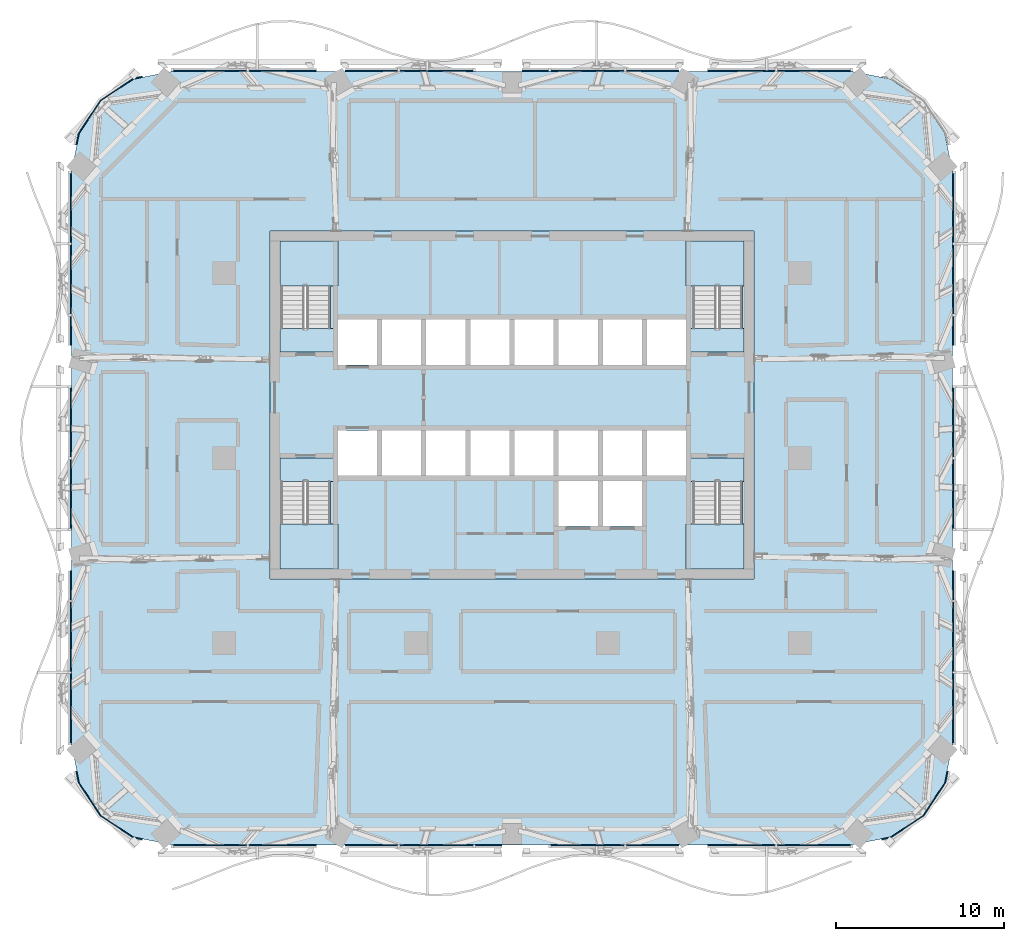
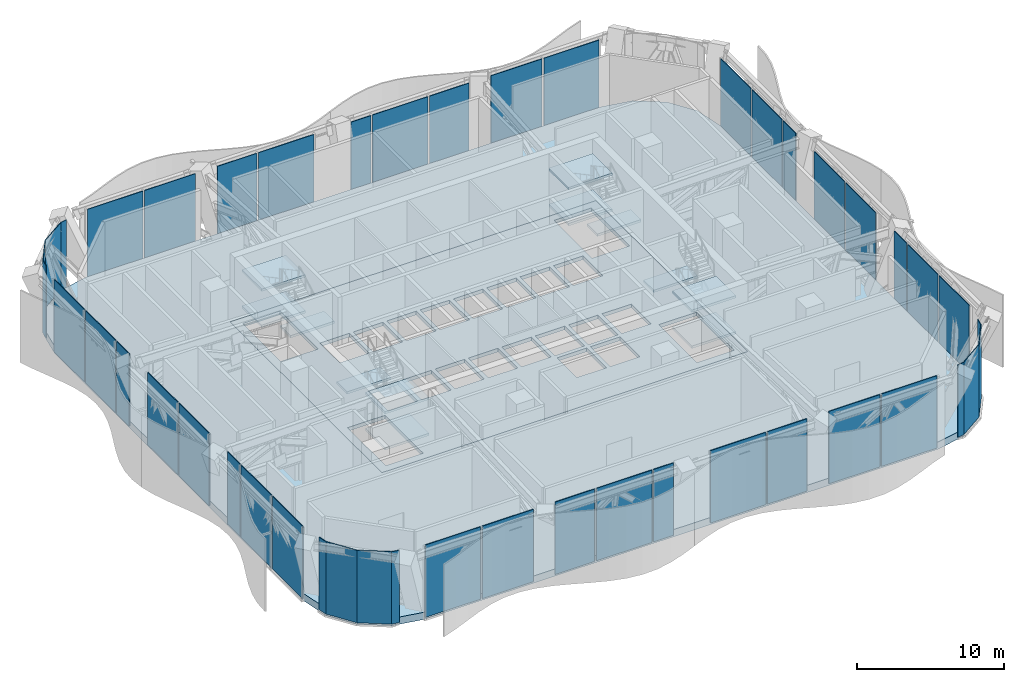
# One storey, part 7 of 26: 37 plates, 14 slabs, 11 elements without a shape of their own.
"""IFC4 building model written with IfcOpenShell, lengths in metres."""

from ifc_helpers import new_model, si_unit, direction, frame, origin, origin_2d, place, context, subcontext, project, spatial, polyline, rectangle, outline, extrude, material, layer, layer_set, type_object, element, aggregate, save


model = new_model("IFC4")

# Units and contexts
model_context = context("Model", 3, precision=1e-05, world=origin(), true_north=direction((0.0, 1.0)))
body_context = subcontext(model_context, "Body", "Model", "MODEL_VIEW")
ifc_project = project(units=[si_unit("LENGTHUNIT", "METRE"), si_unit("AREAUNIT", "SQUARE_METRE"), si_unit("VOLUMEUNIT", "CUBIC_METRE"), si_unit("PLANEANGLEUNIT", "RADIAN"), si_unit("MASSUNIT", "GRAM", prefix="KILO")], contexts=[model_context])

# Site, building, storey
site_placement = place(None, origin())
site = spatial("IfcSite", under=ifc_project, at=site_placement, CompositionType="ELEMENT")
building_placement = place(site_placement, origin())
building = spatial("IfcBuilding", under=site, at=building_placement, Name="Mopane Tessera Tower", CompositionType="ELEMENT")
storey_placement = place(building_placement, frame((0.0, 0.0, 205.0)))
storey = spatial("IfcBuildingStorey", under=building, at=storey_placement, Name="L43", CompositionType="ELEMENT", Elevation=205.0)

# Slab
ifc_material_1 = material(Name="Concrete C40/50", Category="concrete")
ifc_layer_1 = layer(ifc_material_1, 0.300048828125)
ifc_layer_set_1 = layer_set([ifc_layer_1], Name="Concrete C40/50")
slab_type_1 = type_object("IfcSlabType", Name="Core floor slab 300 mm", PredefinedType="FLOOR", material=ifc_layer_set_1)
slab_1_placement = place(storey_placement, frame((0.0, 0.0, -0.300048828125)))
element("IfcSlab", 1, at=slab_1_placement, inside=storey, type_object=slab_type_1, Name="L43 core floor slab", PredefinedType="FLOOR", context=body_context, shape_type="SweptSolid", body=[
    extrude(outline(polyline([(-14.39990234375, -7.199951171875), (14.39990234375, -7.199951171875), (14.39990234375, 13.5), (-14.39990234375, 13.5), (-14.39990234375, -7.199951171875)]), holes=[polyline([(-10.35009765625, -1.050048828125), (-8.02490234375, -1.050048828125), (-8.02490234375, 1.64990234375), (-10.35009765625, 1.64990234375), (-10.35009765625, -1.050048828125)]), polyline([(-7.72509765625, -1.050048828125), (-5.39990234375, -1.050048828125), (-5.39990234375, 1.64990234375), (-7.72509765625, 1.64990234375), (-7.72509765625, -1.050048828125)]), polyline([(-5.10009765625, -1.050048828125), (-2.77490234375, -1.050048828125), (-2.77490234375, 1.64990234375), (-5.10009765625, 1.64990234375), (-5.10009765625, -1.050048828125)]), polyline([(-2.47509765625, -1.050048828125), (-0.14990234375, -1.050048828125), (-0.14990234375, 1.64990234375), (-2.47509765625, 1.64990234375), (-2.47509765625, -1.050048828125)]), polyline([(0.14990234375, -1.050048828125), (2.47509765625, -1.050048828125), (2.47509765625, 1.64990234375), (0.14990234375, 1.64990234375), (0.14990234375, -1.050048828125)]), polyline([(2.77490234375, -1.050048828125), (5.10009765625, -1.050048828125), (5.10009765625, 1.64990234375), (2.77490234375, 1.64990234375), (2.77490234375, -1.050048828125)]), polyline([(5.39990234375, -1.050048828125), (7.72509765625, -1.050048828125), (7.72509765625, 1.64990234375), (5.39990234375, 1.64990234375), (5.39990234375, -1.050048828125)]), polyline([(8.02490234375, -1.050048828125), (10.35009765625, -1.050048828125), (10.35009765625, 1.64990234375), (8.02490234375, 1.64990234375), (8.02490234375, -1.050048828125)]), polyline([(-10.35009765625, 5.550048828125), (-8.02490234375, 5.550048828125), (-8.02490234375, 8.25), (-10.35009765625, 8.25), (-10.35009765625, 5.550048828125)]), polyline([(-7.72509765625, 5.550048828125), (-5.39990234375, 5.550048828125), (-5.39990234375, 8.25), (-7.72509765625, 8.25), (-7.72509765625, 5.550048828125)]), polyline([(-5.10009765625, 5.550048828125), (-2.77490234375, 5.550048828125), (-2.77490234375, 8.25), (-5.10009765625, 8.25), (-5.10009765625, 5.550048828125)]), polyline([(-2.47509765625, 5.550048828125), (-0.14990234375, 5.550048828125), (-0.14990234375, 8.25), (-2.47509765625, 8.25), (-2.47509765625, 5.550048828125)]), polyline([(0.14990234375, 5.550048828125), (2.47509765625, 5.550048828125), (2.47509765625, 8.25), (0.14990234375, 8.25), (0.14990234375, 5.550048828125)]), polyline([(2.77490234375, 5.550048828125), (5.10009765625, 5.550048828125), (5.10009765625, 8.25), (2.77490234375, 8.25), (2.77490234375, 5.550048828125)]), polyline([(5.39990234375, 5.550048828125), (7.72509765625, 5.550048828125), (7.72509765625, 8.25), (5.39990234375, 8.25), (5.39990234375, 5.550048828125)]), polyline([(8.02490234375, 5.550048828125), (10.35009765625, 5.550048828125), (10.35009765625, 8.25), (8.02490234375, 8.25), (8.02490234375, 5.550048828125)]), polyline([(2.77490234375, -4.050048828125), (5.10009765625, -4.050048828125), (5.10009765625, -1.35009765625), (2.77490234375, -1.35009765625), (2.77490234375, -4.050048828125)]), polyline([(5.39990234375, -4.050048828125), (7.72509765625, -4.050048828125), (7.72509765625, -1.35009765625), (5.39990234375, -1.35009765625), (5.39990234375, -4.050048828125)]), polyline([(-13.75, -1.405029296875), (-13.75, -6.60009765625), (-10.800048828125, -6.60009765625), (-10.800048828125, -1.405029296875), (-13.75, -1.405029296875)]), polyline([(-10.800048828125, 7.705078125), (-10.800048828125, 12.89990234375), (-13.75, 12.89990234375), (-13.75, 7.705078125), (-10.800048828125, 7.705078125)]), polyline([(10.75, -1.405029296875), (10.75, -6.60009765625), (13.699951171875, -6.60009765625), (13.699951171875, -1.405029296875), (10.75, -1.405029296875)]), polyline([(13.699951171875, 7.705078125), (13.699951171875, 12.89990234375), (10.75, 12.89990234375), (10.75, 7.705078125), (13.699951171875, 7.705078125)])]), origin(), (0.0, 0.0, 1.0), 0.300048828125),
])

# Stair, slabs
ifc_material_2 = material(Name="Concrete C50/60", Category="concrete")
stair_type = type_object("IfcStairType", Name="Escape stair 1400 mm, riser 150 mm", PredefinedType="HALF_TURN_STAIR", material=ifc_material_2)
stair_1_placement = place(storey_placement, origin())
stair_1 = element("IfcStair", 2, at=stair_1_placement, inside=storey, type_object=stair_type, Name="L43 Escape stair south-west", PredefinedType="HALF_TURN_STAIR")
ifc_material_3 = material(Name="Concrete C50/60", Category="concrete")
ifc_layer_2 = layer(ifc_material_3, 0.199951171875)
ifc_layer_set_2 = layer_set([ifc_layer_2], Name="Concrete C50/60")
slab_type_2 = type_object("IfcSlabType", Name="Escape stair landing 200 mm", PredefinedType="LANDING", material=ifc_layer_set_2)
slab_2_placement = place(storey_placement, frame((0.0, 0.0, 1.300048828125)))
slab_2 = element("IfcSlab", 3, at=slab_2_placement, type_object=slab_type_2, Name="ST1 landing 1", PredefinedType="LANDING", context=body_context, shape_type="SweptSolid", body=[
    extrude(outline(polyline([(-13.800048828125, -3.919921875), (-13.800048828125, -6.60009765625), (-10.35009765625, -6.60009765625), (-10.35009765625, -3.919921875), (-13.800048828125, -3.919921875)])), origin(), (0.0, 0.0, 1.0), 0.199951171875),
])
slab_3_placement = place(storey_placement, frame((0.0, 0.0, 2.800048828125)))
slab_3 = element("IfcSlab", 4, at=slab_3_placement, type_object=slab_type_2, Name="ST1 landing 2", PredefinedType="LANDING", context=body_context, shape_type="SweptSolid", body=[
    extrude(outline(polyline([(-13.800048828125, 0.0), (-13.800048828125, -1.39990234375), (-10.35009765625, -1.39990234375), (-10.35009765625, 0.0), (-13.800048828125, 0.0)])), origin(), (0.0, 0.0, 1.0), 0.199951171875),
])
slab_4_placement = place(storey_placement, frame((0.0, 0.0, 4.300048828125)))
slab_4 = element("IfcSlab", 5, at=slab_4_placement, type_object=slab_type_2, Name="ST1 landing 3", PredefinedType="LANDING", context=body_context, shape_type="SweptSolid", body=[
    extrude(outline(polyline([(-13.800048828125, -3.919921875), (-13.800048828125, -6.60009765625), (-10.35009765625, -6.60009765625), (-10.35009765625, -3.919921875), (-13.800048828125, -3.919921875)])), origin(), (0.0, 0.0, 1.0), 0.199951171875),
])
aggregate(stair_1, [slab_2, slab_3, slab_4])

stair_2_placement = place(storey_placement, origin())
stair_2 = element("IfcStair", 6, at=stair_2_placement, inside=storey, type_object=stair_type, Name="L43 Escape stair north-west", PredefinedType="HALF_TURN_STAIR")
slab_5_placement = place(storey_placement, frame((0.0, 0.0, 1.300048828125)))
slab_5 = element("IfcSlab", 7, at=slab_5_placement, type_object=slab_type_2, Name="ST2 landing 1", PredefinedType="LANDING", context=body_context, shape_type="SweptSolid", body=[
    extrude(outline(polyline([(-10.35009765625, 10.219970703125), (-10.35009765625, 12.89990234375), (-13.800048828125, 12.89990234375), (-13.800048828125, 10.219970703125), (-10.35009765625, 10.219970703125)])), origin(), (0.0, 0.0, 1.0), 0.199951171875),
])
slab_6_placement = place(storey_placement, frame((0.0, 0.0, 2.800048828125)))
slab_6 = element("IfcSlab", 8, at=slab_6_placement, type_object=slab_type_2, Name="ST2 landing 2", PredefinedType="LANDING", context=body_context, shape_type="SweptSolid", body=[
    extrude(outline(polyline([(-10.35009765625, 6.300048828125), (-10.35009765625, 7.699951171875), (-13.800048828125, 7.699951171875), (-13.800048828125, 6.300048828125), (-10.35009765625, 6.300048828125)])), origin(), (0.0, 0.0, 1.0), 0.199951171875),
])
slab_7_placement = place(storey_placement, frame((0.0, 0.0, 4.300048828125)))
slab_7 = element("IfcSlab", 9, at=slab_7_placement, type_object=slab_type_2, Name="ST2 landing 3", PredefinedType="LANDING", context=body_context, shape_type="SweptSolid", body=[
    extrude(outline(polyline([(-10.35009765625, 10.219970703125), (-10.35009765625, 12.89990234375), (-13.800048828125, 12.89990234375), (-13.800048828125, 10.219970703125), (-10.35009765625, 10.219970703125)])), origin(), (0.0, 0.0, 1.0), 0.199951171875),
])
aggregate(stair_2, [slab_5, slab_6, slab_7])

stair_3_placement = place(storey_placement, origin())
stair_3 = element("IfcStair", 10, at=stair_3_placement, inside=storey, type_object=stair_type, Name="L43 Escape stair south-east", PredefinedType="HALF_TURN_STAIR")
slab_8_placement = place(storey_placement, frame((0.0, 0.0, 1.300048828125)))
slab_8 = element("IfcSlab", 11, at=slab_8_placement, type_object=slab_type_2, Name="ST3 landing 1", PredefinedType="LANDING", context=body_context, shape_type="SweptSolid", body=[
    extrude(outline(polyline([(10.35009765625, -3.919921875), (10.35009765625, -6.60009765625), (13.800048828125, -6.60009765625), (13.800048828125, -3.919921875), (10.35009765625, -3.919921875)])), origin(), (0.0, 0.0, 1.0), 0.199951171875),
])
slab_9_placement = place(storey_placement, frame((0.0, 0.0, 2.800048828125)))
slab_9 = element("IfcSlab", 12, at=slab_9_placement, type_object=slab_type_2, Name="ST3 landing 2", PredefinedType="LANDING", context=body_context, shape_type="SweptSolid", body=[
    extrude(outline(polyline([(10.35009765625, 0.0), (10.35009765625, -1.39990234375), (13.800048828125, -1.39990234375), (13.800048828125, 0.0), (10.35009765625, 0.0)])), origin(), (0.0, 0.0, 1.0), 0.199951171875),
])
slab_10_placement = place(storey_placement, frame((0.0, 0.0, 4.300048828125)))
slab_10 = element("IfcSlab", 13, at=slab_10_placement, type_object=slab_type_2, Name="ST3 landing 3", PredefinedType="LANDING", context=body_context, shape_type="SweptSolid", body=[
    extrude(outline(polyline([(10.35009765625, -3.919921875), (10.35009765625, -6.60009765625), (13.800048828125, -6.60009765625), (13.800048828125, -3.919921875), (10.35009765625, -3.919921875)])), origin(), (0.0, 0.0, 1.0), 0.199951171875),
])
aggregate(stair_3, [slab_8, slab_9, slab_10])

stair_4_placement = place(storey_placement, origin())
stair_4 = element("IfcStair", 14, at=stair_4_placement, inside=storey, type_object=stair_type, Name="L43 Escape stair north-east", PredefinedType="HALF_TURN_STAIR")
slab_11_placement = place(storey_placement, frame((0.0, 0.0, 1.300048828125)))
slab_11 = element("IfcSlab", 15, at=slab_11_placement, type_object=slab_type_2, Name="ST4 landing 1", PredefinedType="LANDING", context=body_context, shape_type="SweptSolid", body=[
    extrude(outline(polyline([(13.800048828125, 10.219970703125), (13.800048828125, 12.89990234375), (10.35009765625, 12.89990234375), (10.35009765625, 10.219970703125), (13.800048828125, 10.219970703125)])), origin(), (0.0, 0.0, 1.0), 0.199951171875),
])
slab_12_placement = place(storey_placement, frame((0.0, 0.0, 2.800048828125)))
slab_12 = element("IfcSlab", 16, at=slab_12_placement, type_object=slab_type_2, Name="ST4 landing 2", PredefinedType="LANDING", context=body_context, shape_type="SweptSolid", body=[
    extrude(outline(polyline([(13.800048828125, 6.300048828125), (13.800048828125, 7.699951171875), (10.35009765625, 7.699951171875), (10.35009765625, 6.300048828125), (13.800048828125, 6.300048828125)])), origin(), (0.0, 0.0, 1.0), 0.199951171875),
])
slab_13_placement = place(storey_placement, frame((0.0, 0.0, 4.300048828125)))
slab_13 = element("IfcSlab", 17, at=slab_13_placement, type_object=slab_type_2, Name="ST4 landing 3", PredefinedType="LANDING", context=body_context, shape_type="SweptSolid", body=[
    extrude(outline(polyline([(13.800048828125, 10.219970703125), (13.800048828125, 12.89990234375), (10.35009765625, 12.89990234375), (10.35009765625, 10.219970703125), (13.800048828125, 10.219970703125)])), origin(), (0.0, 0.0, 1.0), 0.199951171875),
])
aggregate(stair_4, [slab_11, slab_12, slab_13])

# Slab
ifc_material_4 = material(Name="Concrete C40/50", Category="concrete")
ifc_layer_3 = layer(ifc_material_4, 0.60009765625)
ifc_layer_set_3 = layer_set([ifc_layer_3], Name="Concrete C40/50")
slab_type_3 = type_object("IfcSlabType", Name="Post-tensioned flat plate 600 mm", PredefinedType="FLOOR", material=ifc_layer_set_3)
slab_14_placement = place(storey_placement, frame((0.0, 0.0, -0.60009765625)))
element("IfcSlab", 18, at=slab_14_placement, inside=storey, type_object=slab_type_3, Name="Floor slab L43", PredefinedType="FLOOR", context=body_context, shape_type="SweptSolid", body=[
    extrude(outline(polyline([(-20.199951171875, -23.0), (20.199951171875, -23.0), (22.49609375, -22.543212890625), (24.442626953125, -21.24267578125), (25.7431640625, -19.296142578125), (26.199951171875, -17.0), (26.199951171875, 17.0), (25.7431640625, 19.296142578125), (24.442626953125, 21.24267578125), (22.49609375, 22.543212890625), (20.199951171875, 23.0), (-20.199951171875, 23.0), (-22.49609375, 22.543212890625), (-24.442626953125, 21.24267578125), (-25.7431640625, 19.296142578125), (-26.199951171875, 17.0), (-26.199951171875, -17.0), (-25.7431640625, -19.296142578125), (-24.442626953125, -21.24267578125), (-22.49609375, -22.543212890625), (-20.199951171875, -23.0)]), holes=[polyline([(14.39990234375, -7.199951171875), (-14.39990234375, -7.199951171875), (-14.39990234375, 13.5), (14.39990234375, 13.5), (14.39990234375, -7.199951171875)])]), origin(), (0.0, 0.0, 1.0), 0.60009765625),
])

# Curtain wall, plates
ifc_material_5 = material(Name="Aluminium frame", Category="aluminium")
curtain_wall_type = type_object("IfcCurtainWallType", Name="Plant floor unitised wall", PredefinedType="NOTDEFINED", material=ifc_material_5)
curtain_wall_1_placement = place(storey_placement, origin())
curtain_wall_1 = element("IfcCurtainWall", 19, at=curtain_wall_1_placement, inside=storey, type_object=curtain_wall_type, Name="e:cw:L43:S:0", PredefinedType="NOTDEFINED")
ifc_material_6 = material(Name="Limestone spandrel", Category="masonry")
ifc_layer_4 = layer(ifc_material_6, 0.06005859375)
ifc_layer_set_4 = layer_set([ifc_layer_4], Name="Limestone spandrel")
plate_type = type_object("IfcPlateType", Name="Stone spandrel unit", PredefinedType="CURTAIN_PANEL", material=ifc_layer_set_4)
plate_1_placement = place(storey_placement, frame((-17.95556640625, -23.030029296875, -0.419921875), z_axis=(0.0, 0.0, 1.0), x_axis=(1.0, 0.0, 0.0)))
plate_1 = element("IfcPlate", 20, at=plate_1_placement, type_object=plate_type, Name="e:cw:L43:S:0:pn0", PredefinedType="CURTAIN_PANEL", context=body_context, shape_type="SweptSolid", body=[
    extrude(rectangle(XDim=4.348876953125, YDim=0.06005859375, at=origin_2d()), origin(), (0.0, 0.0, 1.0), 6.02001953125),
])
plate_2_placement = place(storey_placement, frame((-13.63720703125, -23.030029296875, -0.419921875), z_axis=(0.0, 0.0, 1.0), x_axis=(1.0, 0.0, 0.0)))
plate_2 = element("IfcPlate", 21, at=plate_2_placement, type_object=plate_type, Name="e:cw:L43:S:0:pn1", PredefinedType="CURTAIN_PANEL", context=body_context, shape_type="SweptSolid", body=[
    extrude(rectangle(XDim=4.007568359375, YDim=0.06005859375, at=origin_2d()), origin(), (0.0, 0.0, 1.0), 6.02001953125),
])
plate_3_placement = place(storey_placement, frame((-8.358154296875, -23.030029296875, -0.419921875), z_axis=(0.0, 0.0, 1.0), x_axis=(1.0, 0.0, 0.0)))
plate_3 = element("IfcPlate", 22, at=plate_3_placement, type_object=plate_type, Name="e:cw:L43:S:0:pn2", PredefinedType="CURTAIN_PANEL", context=body_context, shape_type="SweptSolid", body=[
    extrude(rectangle(XDim=3.109375, YDim=0.06005859375, at=origin_2d()), origin(), (0.0, 0.0, 1.0), 6.02001953125),
])
plate_4_placement = place(storey_placement, frame((-4.48876953125, -23.030029296875, -0.419921875), z_axis=(0.0, 0.0, 1.0), x_axis=(1.0, 0.0, 0.0)))
plate_4 = element("IfcPlate", 23, at=plate_4_placement, type_object=plate_type, Name="e:cw:L43:S:0:pn3", PredefinedType="CURTAIN_PANEL", context=body_context, shape_type="SweptSolid", body=[
    extrude(rectangle(XDim=4.348876953125, YDim=0.06005859375, at=origin_2d()), origin(), (0.0, 0.0, 1.0), 6.02001953125),
])
plate_5_placement = place(storey_placement, frame((-1.38720703125, -23.030029296875, -0.419921875), z_axis=(0.0, 0.0, 1.0), x_axis=(1.0, 0.0, 0.0)))
plate_5 = element("IfcPlate", 24, at=plate_5_placement, type_object=plate_type, Name="e:cw:L43:S:0:pn4", PredefinedType="CURTAIN_PANEL", context=body_context, shape_type="SweptSolid", body=[
    extrude(rectangle(XDim=1.574462890625, YDim=0.06005859375, at=origin_2d()), origin(), (0.0, 0.0, 1.0), 6.02001953125),
])
plate_6_placement = place(storey_placement, frame((4.48876953125, -23.030029296875, -0.419921875), z_axis=(0.0, 0.0, 1.0), x_axis=(1.0, 0.0, 0.0)))
plate_6 = element("IfcPlate", 25, at=plate_6_placement, type_object=plate_type, Name="e:cw:L43:S:0:pn5", PredefinedType="CURTAIN_PANEL", context=body_context, shape_type="SweptSolid", body=[
    extrude(rectangle(XDim=4.348876953125, YDim=0.06005859375, at=origin_2d()), origin(), (0.0, 0.0, 1.0), 6.02001953125),
])
plate_7_placement = place(storey_placement, frame((8.358154296875, -23.030029296875, -0.419921875), z_axis=(0.0, 0.0, 1.0), x_axis=(1.0, 0.0, 0.0)))
plate_7 = element("IfcPlate", 26, at=plate_7_placement, type_object=plate_type, Name="e:cw:L43:S:0:pn6", PredefinedType="CURTAIN_PANEL", context=body_context, shape_type="SweptSolid", body=[
    extrude(rectangle(XDim=3.109375, YDim=0.06005859375, at=origin_2d()), origin(), (0.0, 0.0, 1.0), 6.02001953125),
])
plate_8_placement = place(storey_placement, frame((13.63720703125, -23.030029296875, -0.419921875), z_axis=(0.0, 0.0, 1.0), x_axis=(1.0, 0.0, 0.0)))
plate_8 = element("IfcPlate", 27, at=plate_8_placement, type_object=plate_type, Name="e:cw:L43:S:0:pn7", PredefinedType="CURTAIN_PANEL", context=body_context, shape_type="SweptSolid", body=[
    extrude(rectangle(XDim=4.007568359375, YDim=0.06005859375, at=origin_2d()), origin(), (0.0, 0.0, 1.0), 6.02001953125),
])
plate_9_placement = place(storey_placement, frame((17.95556640625, -23.030029296875, -0.419921875), z_axis=(0.0, 0.0, 1.0), x_axis=(1.0, 0.0, 0.0)))
plate_9 = element("IfcPlate", 28, at=plate_9_placement, type_object=plate_type, Name="e:cw:L43:S:0:pn8", PredefinedType="CURTAIN_PANEL", context=body_context, shape_type="SweptSolid", body=[
    extrude(rectangle(XDim=4.348876953125, YDim=0.06005859375, at=origin_2d()), origin(), (0.0, 0.0, 1.0), 6.02001953125),
])
aggregate(curtain_wall_1, [plate_1, plate_2, plate_3, plate_4, plate_5, plate_6, plate_7, plate_8, plate_9])

# Curtain wall, plate
curtain_wall_2_placement = place(storey_placement, origin())
curtain_wall_2 = element("IfcCurtainWall", 29, at=curtain_wall_2_placement, inside=storey, type_object=curtain_wall_type, Name="e:cw:L43:CS", PredefinedType="NOTDEFINED")
plate_10_placement = place(storey_placement, frame((0.0, 0.0, -0.419921875)))
plate_10 = element("IfcPlate", 30, at=plate_10_placement, type_object=plate_type, Name="e:cw:L43:CS:pn", PredefinedType="CURTAIN_PANEL", context=body_context, shape_type="SweptSolid", body=[
    extrude(outline(polyline([(24.442626953125, -21.24267578125), (25.7431640625, -19.296142578125), (25.875732421875, -18.630615234375), (25.935546875, -18.630615234375), (25.798828125, -19.319091796875), (24.485107421875, -21.28515625), (22.51904296875, -22.5986328125), (21.977783203125, -22.706298828125), (21.977783203125, -22.646484375), (22.49609375, -22.543212890625), (24.442626953125, -21.24267578125)])), origin(), (0.0, 0.0, 1.0), 6.02001953125),
])
aggregate(curtain_wall_2, [plate_10])

# Curtain wall, plates
curtain_wall_3_placement = place(storey_placement, origin())
curtain_wall_3 = element("IfcCurtainWall", 31, at=curtain_wall_3_placement, inside=storey, type_object=curtain_wall_type, Name="e:cw:L43:E:0", PredefinedType="NOTDEFINED")
plate_11_placement = place(storey_placement, frame((26.22998046875, -14.875, -0.419921875), z_axis=(0.0, 0.0, 1.0), x_axis=(0.0, 1.0, 0.0)))
plate_11 = element("IfcPlate", 32, at=plate_11_placement, type_object=plate_type, Name="e:cw:L43:E:0:pn0", PredefinedType="CURTAIN_PANEL", context=body_context, shape_type="SweptSolid", body=[
    extrude(rectangle(XDim=4.110107421875, YDim=0.06005859375, at=origin_2d()), origin(), (0.0, 0.0, 1.0), 6.02001953125),
])
plate_12_placement = place(storey_placement, frame((26.22998046875, -10.625, -0.419921875), z_axis=(0.0, 0.0, 1.0), x_axis=(0.0, 1.0, 0.0)))
plate_12 = element("IfcPlate", 33, at=plate_12_placement, type_object=plate_type, Name="e:cw:L43:E:0:pn1", PredefinedType="CURTAIN_PANEL", context=body_context, shape_type="SweptSolid", body=[
    extrude(rectangle(XDim=4.110107421875, YDim=0.06005859375, at=origin_2d()), origin(), (0.0, 0.0, 1.0), 6.02001953125),
])
plate_13_placement = place(storey_placement, frame((26.22998046875, -7.5703125, -0.419921875), z_axis=(0.0, 0.0, 1.0), x_axis=(0.0, 1.0, 0.0)))
plate_13 = element("IfcPlate", 34, at=plate_13_placement, type_object=plate_type, Name="e:cw:L43:E:0:pn2", PredefinedType="CURTAIN_PANEL", context=body_context, shape_type="SweptSolid", body=[
    extrude(rectangle(XDim=1.71923828125, YDim=0.06005859375, at=origin_2d()), origin(), (0.0, 0.0, 1.0), 6.02001953125),
])
plate_14_placement = place(storey_placement, frame((26.22998046875, -2.125, -0.419921875), z_axis=(0.0, 0.0, 1.0), x_axis=(0.0, 1.0, 0.0)))
plate_14 = element("IfcPlate", 35, at=plate_14_placement, type_object=plate_type, Name="e:cw:L43:E:0:pn3", PredefinedType="CURTAIN_PANEL", context=body_context, shape_type="SweptSolid", body=[
    extrude(rectangle(XDim=4.110107421875, YDim=0.06005859375, at=origin_2d()), origin(), (0.0, 0.0, 1.0), 6.02001953125),
])
plate_15_placement = place(storey_placement, frame((26.22998046875, 2.125, -0.419921875), z_axis=(0.0, 0.0, 1.0), x_axis=(0.0, 1.0, 0.0)))
plate_15 = element("IfcPlate", 36, at=plate_15_placement, type_object=plate_type, Name="e:cw:L43:E:0:pn4", PredefinedType="CURTAIN_PANEL", context=body_context, shape_type="SweptSolid", body=[
    extrude(rectangle(XDim=4.110107421875, YDim=0.06005859375, at=origin_2d()), origin(), (0.0, 0.0, 1.0), 6.02001953125),
])
plate_16_placement = place(storey_placement, frame((26.22998046875, 7.5703125, -0.419921875), z_axis=(0.0, 0.0, 1.0), x_axis=(0.0, 1.0, 0.0)))
plate_16 = element("IfcPlate", 37, at=plate_16_placement, type_object=plate_type, Name="e:cw:L43:E:0:pn5", PredefinedType="CURTAIN_PANEL", context=body_context, shape_type="SweptSolid", body=[
    extrude(rectangle(XDim=1.71923828125, YDim=0.06005859375, at=origin_2d()), origin(), (0.0, 0.0, 1.0), 6.02001953125),
])
plate_17_placement = place(storey_placement, frame((26.22998046875, 10.625, -0.419921875), z_axis=(0.0, 0.0, 1.0), x_axis=(0.0, 1.0, 0.0)))
plate_17 = element("IfcPlate", 38, at=plate_17_placement, type_object=plate_type, Name="e:cw:L43:E:0:pn6", PredefinedType="CURTAIN_PANEL", context=body_context, shape_type="SweptSolid", body=[
    extrude(rectangle(XDim=4.110107421875, YDim=0.06005859375, at=origin_2d()), origin(), (0.0, 0.0, 1.0), 6.02001953125),
])
plate_18_placement = place(storey_placement, frame((26.22998046875, 14.875, -0.419921875), z_axis=(0.0, 0.0, 1.0), x_axis=(0.0, 1.0, 0.0)))
plate_18 = element("IfcPlate", 39, at=plate_18_placement, type_object=plate_type, Name="e:cw:L43:E:0:pn7", PredefinedType="CURTAIN_PANEL", context=body_context, shape_type="SweptSolid", body=[
    extrude(rectangle(XDim=4.110107421875, YDim=0.06005859375, at=origin_2d()), origin(), (0.0, 0.0, 1.0), 6.02001953125),
])
aggregate(curtain_wall_3, [plate_11, plate_12, plate_13, plate_14, plate_15, plate_16, plate_17, plate_18])

curtain_wall_4_placement = place(storey_placement, origin())
curtain_wall_4 = element("IfcCurtainWall", 40, at=curtain_wall_4_placement, inside=storey, type_object=curtain_wall_type, Name="e:cw:L43:N:0", PredefinedType="NOTDEFINED")
plate_19_placement = place(storey_placement, frame((17.95556640625, 23.030029296875, -0.419921875), z_axis=(0.0, 0.0, 1.0), x_axis=(-1.0, 0.0, 0.0)))
plate_19 = element("IfcPlate", 41, at=plate_19_placement, type_object=plate_type, Name="e:cw:L43:N:0:pn0", PredefinedType="CURTAIN_PANEL", context=body_context, shape_type="SweptSolid", body=[
    extrude(rectangle(XDim=4.348876953125, YDim=0.06005859375, at=origin_2d()), origin(), (0.0, 0.0, 1.0), 6.02001953125),
])
plate_20_placement = place(storey_placement, frame((13.63720703125, 23.030029296875, -0.419921875), z_axis=(0.0, 0.0, 1.0), x_axis=(-1.0, 0.0, 0.0)))
plate_20 = element("IfcPlate", 42, at=plate_20_placement, type_object=plate_type, Name="e:cw:L43:N:0:pn1", PredefinedType="CURTAIN_PANEL", context=body_context, shape_type="SweptSolid", body=[
    extrude(rectangle(XDim=4.007568359375, YDim=0.06005859375, at=origin_2d()), origin(), (0.0, 0.0, 1.0), 6.02001953125),
])
plate_21_placement = place(storey_placement, frame((8.358154296875, 23.030029296875, -0.419921875), z_axis=(0.0, 0.0, 1.0), x_axis=(-1.0, 0.0, 0.0)))
plate_21 = element("IfcPlate", 43, at=plate_21_placement, type_object=plate_type, Name="e:cw:L43:N:0:pn2", PredefinedType="CURTAIN_PANEL", context=body_context, shape_type="SweptSolid", body=[
    extrude(rectangle(XDim=3.109375, YDim=0.06005859375, at=origin_2d()), origin(), (0.0, 0.0, 1.0), 6.02001953125),
])
plate_22_placement = place(storey_placement, frame((4.48876953125, 23.030029296875, -0.419921875), z_axis=(0.0, 0.0, 1.0), x_axis=(-1.0, 0.0, 0.0)))
plate_22 = element("IfcPlate", 44, at=plate_22_placement, type_object=plate_type, Name="e:cw:L43:N:0:pn3", PredefinedType="CURTAIN_PANEL", context=body_context, shape_type="SweptSolid", body=[
    extrude(rectangle(XDim=4.348876953125, YDim=0.06005859375, at=origin_2d()), origin(), (0.0, 0.0, 1.0), 6.02001953125),
])
plate_23_placement = place(storey_placement, frame((1.38720703125, 23.030029296875, -0.419921875), z_axis=(0.0, 0.0, 1.0), x_axis=(-1.0, 0.0, 0.0)))
plate_23 = element("IfcPlate", 45, at=plate_23_placement, type_object=plate_type, Name="e:cw:L43:N:0:pn4", PredefinedType="CURTAIN_PANEL", context=body_context, shape_type="SweptSolid", body=[
    extrude(rectangle(XDim=1.574462890625, YDim=0.06005859375, at=origin_2d()), origin(), (0.0, 0.0, 1.0), 6.02001953125),
])
plate_24_placement = place(storey_placement, frame((-4.48876953125, 23.030029296875, -0.419921875), z_axis=(0.0, 0.0, 1.0), x_axis=(-1.0, 0.0, 0.0)))
plate_24 = element("IfcPlate", 46, at=plate_24_placement, type_object=plate_type, Name="e:cw:L43:N:0:pn5", PredefinedType="CURTAIN_PANEL", context=body_context, shape_type="SweptSolid", body=[
    extrude(rectangle(XDim=4.348876953125, YDim=0.06005859375, at=origin_2d()), origin(), (0.0, 0.0, 1.0), 6.02001953125),
])
plate_25_placement = place(storey_placement, frame((-8.358154296875, 23.030029296875, -0.419921875), z_axis=(0.0, 0.0, 1.0), x_axis=(-1.0, 0.0, 0.0)))
plate_25 = element("IfcPlate", 47, at=plate_25_placement, type_object=plate_type, Name="e:cw:L43:N:0:pn6", PredefinedType="CURTAIN_PANEL", context=body_context, shape_type="SweptSolid", body=[
    extrude(rectangle(XDim=3.109375, YDim=0.06005859375, at=origin_2d()), origin(), (0.0, 0.0, 1.0), 6.02001953125),
])
plate_26_placement = place(storey_placement, frame((-13.63720703125, 23.030029296875, -0.419921875), z_axis=(0.0, 0.0, 1.0), x_axis=(-1.0, 0.0, 0.0)))
plate_26 = element("IfcPlate", 48, at=plate_26_placement, type_object=plate_type, Name="e:cw:L43:N:0:pn7", PredefinedType="CURTAIN_PANEL", context=body_context, shape_type="SweptSolid", body=[
    extrude(rectangle(XDim=4.007568359375, YDim=0.06005859375, at=origin_2d()), origin(), (0.0, 0.0, 1.0), 6.02001953125),
])
plate_27_placement = place(storey_placement, frame((-17.95556640625, 23.030029296875, -0.419921875), z_axis=(0.0, 0.0, 1.0), x_axis=(-1.0, 0.0, 0.0)))
plate_27 = element("IfcPlate", 49, at=plate_27_placement, type_object=plate_type, Name="e:cw:L43:N:0:pn8", PredefinedType="CURTAIN_PANEL", context=body_context, shape_type="SweptSolid", body=[
    extrude(rectangle(XDim=4.348876953125, YDim=0.06005859375, at=origin_2d()), origin(), (0.0, 0.0, 1.0), 6.02001953125),
])
aggregate(curtain_wall_4, [plate_19, plate_20, plate_21, plate_22, plate_23, plate_24, plate_25, plate_26, plate_27])

# Curtain wall, plate
curtain_wall_5_placement = place(storey_placement, origin())
curtain_wall_5 = element("IfcCurtainWall", 50, at=curtain_wall_5_placement, inside=storey, type_object=curtain_wall_type, Name="e:cw:L43:CN", PredefinedType="NOTDEFINED")
plate_28_placement = place(storey_placement, frame((0.0, 0.0, -0.419921875)))
plate_28 = element("IfcPlate", 51, at=plate_28_placement, type_object=plate_type, Name="e:cw:L43:CN:pn", PredefinedType="CURTAIN_PANEL", context=body_context, shape_type="SweptSolid", body=[
    extrude(outline(polyline([(-24.442626953125, 21.24267578125), (-25.7431640625, 19.296142578125), (-25.875732421875, 18.630615234375), (-25.935546875, 18.630615234375), (-25.798828125, 19.319091796875), (-24.485107421875, 21.28515625), (-22.51904296875, 22.5986328125), (-21.977783203125, 22.706298828125), (-21.977783203125, 22.646484375), (-22.49609375, 22.543212890625), (-24.442626953125, 21.24267578125)])), origin(), (0.0, 0.0, 1.0), 6.02001953125),
])
aggregate(curtain_wall_5, [plate_28])

# Curtain wall, plates
curtain_wall_6_placement = place(storey_placement, origin())
curtain_wall_6 = element("IfcCurtainWall", 52, at=curtain_wall_6_placement, inside=storey, type_object=curtain_wall_type, Name="e:cw:L43:W:0", PredefinedType="NOTDEFINED")
plate_29_placement = place(storey_placement, frame((-26.22998046875, 14.875, -0.419921875), z_axis=(0.0, 0.0, 1.0), x_axis=(0.0, -1.0, 0.0)))
plate_29 = element("IfcPlate", 53, at=plate_29_placement, type_object=plate_type, Name="e:cw:L43:W:0:pn0", PredefinedType="CURTAIN_PANEL", context=body_context, shape_type="SweptSolid", body=[
    extrude(rectangle(XDim=4.110107421875, YDim=0.06005859375, at=origin_2d()), origin(), (0.0, 0.0, 1.0), 6.02001953125),
])
plate_30_placement = place(storey_placement, frame((-26.22998046875, 10.625, -0.419921875), z_axis=(0.0, 0.0, 1.0), x_axis=(0.0, -1.0, 0.0)))
plate_30 = element("IfcPlate", 54, at=plate_30_placement, type_object=plate_type, Name="e:cw:L43:W:0:pn1", PredefinedType="CURTAIN_PANEL", context=body_context, shape_type="SweptSolid", body=[
    extrude(rectangle(XDim=4.110107421875, YDim=0.06005859375, at=origin_2d()), origin(), (0.0, 0.0, 1.0), 6.02001953125),
])
plate_31_placement = place(storey_placement, frame((-26.22998046875, 7.5703125, -0.419921875), z_axis=(0.0, 0.0, 1.0), x_axis=(0.0, -1.0, 0.0)))
plate_31 = element("IfcPlate", 55, at=plate_31_placement, type_object=plate_type, Name="e:cw:L43:W:0:pn2", PredefinedType="CURTAIN_PANEL", context=body_context, shape_type="SweptSolid", body=[
    extrude(rectangle(XDim=1.71923828125, YDim=0.06005859375, at=origin_2d()), origin(), (0.0, 0.0, 1.0), 6.02001953125),
])
plate_32_placement = place(storey_placement, frame((-26.22998046875, 2.125, -0.419921875), z_axis=(0.0, 0.0, 1.0), x_axis=(0.0, -1.0, 0.0)))
plate_32 = element("IfcPlate", 56, at=plate_32_placement, type_object=plate_type, Name="e:cw:L43:W:0:pn3", PredefinedType="CURTAIN_PANEL", context=body_context, shape_type="SweptSolid", body=[
    extrude(rectangle(XDim=4.110107421875, YDim=0.06005859375, at=origin_2d()), origin(), (0.0, 0.0, 1.0), 6.02001953125),
])
plate_33_placement = place(storey_placement, frame((-26.22998046875, -2.125, -0.419921875), z_axis=(0.0, 0.0, 1.0), x_axis=(0.0, -1.0, 0.0)))
plate_33 = element("IfcPlate", 57, at=plate_33_placement, type_object=plate_type, Name="e:cw:L43:W:0:pn4", PredefinedType="CURTAIN_PANEL", context=body_context, shape_type="SweptSolid", body=[
    extrude(rectangle(XDim=4.110107421875, YDim=0.06005859375, at=origin_2d()), origin(), (0.0, 0.0, 1.0), 6.02001953125),
])
plate_34_placement = place(storey_placement, frame((-26.22998046875, -7.5703125, -0.419921875), z_axis=(0.0, 0.0, 1.0), x_axis=(0.0, -1.0, 0.0)))
plate_34 = element("IfcPlate", 58, at=plate_34_placement, type_object=plate_type, Name="e:cw:L43:W:0:pn5", PredefinedType="CURTAIN_PANEL", context=body_context, shape_type="SweptSolid", body=[
    extrude(rectangle(XDim=1.71923828125, YDim=0.06005859375, at=origin_2d()), origin(), (0.0, 0.0, 1.0), 6.02001953125),
])
plate_35_placement = place(storey_placement, frame((-26.22998046875, -10.625, -0.419921875), z_axis=(0.0, 0.0, 1.0), x_axis=(0.0, -1.0, 0.0)))
plate_35 = element("IfcPlate", 59, at=plate_35_placement, type_object=plate_type, Name="e:cw:L43:W:0:pn6", PredefinedType="CURTAIN_PANEL", context=body_context, shape_type="SweptSolid", body=[
    extrude(rectangle(XDim=4.110107421875, YDim=0.06005859375, at=origin_2d()), origin(), (0.0, 0.0, 1.0), 6.02001953125),
])
plate_36_placement = place(storey_placement, frame((-26.22998046875, -14.875, -0.419921875), z_axis=(0.0, 0.0, 1.0), x_axis=(0.0, -1.0, 0.0)))
plate_36 = element("IfcPlate", 60, at=plate_36_placement, type_object=plate_type, Name="e:cw:L43:W:0:pn7", PredefinedType="CURTAIN_PANEL", context=body_context, shape_type="SweptSolid", body=[
    extrude(rectangle(XDim=4.110107421875, YDim=0.06005859375, at=origin_2d()), origin(), (0.0, 0.0, 1.0), 6.02001953125),
])
aggregate(curtain_wall_6, [plate_29, plate_30, plate_31, plate_32, plate_33, plate_34, plate_35, plate_36])

# Curtain wall, plate
curtain_wall_7_placement = place(storey_placement, origin())
curtain_wall_7 = element("IfcCurtainWall", 61, at=curtain_wall_7_placement, inside=storey, type_object=curtain_wall_type, Name="e:cw:L43:CW", PredefinedType="NOTDEFINED")
plate_37_placement = place(storey_placement, frame((0.0, 0.0, -0.419921875)))
plate_37 = element("IfcPlate", 62, at=plate_37_placement, type_object=plate_type, Name="e:cw:L43:CW:pn", PredefinedType="CURTAIN_PANEL", context=body_context, shape_type="SweptSolid", body=[
    extrude(outline(polyline([(-24.442626953125, -21.24267578125), (-22.49609375, -22.543212890625), (-21.977783203125, -22.646484375), (-21.977783203125, -22.706298828125), (-22.51904296875, -22.5986328125), (-24.485107421875, -21.28515625), (-25.798828125, -19.319091796875), (-25.935546875, -18.630615234375), (-25.875732421875, -18.630615234375), (-25.7431640625, -19.296142578125), (-24.442626953125, -21.24267578125)])), origin(), (0.0, 0.0, 1.0), 6.02001953125),
])
aggregate(curtain_wall_7, [plate_37])

save(model, "model.ifc")
